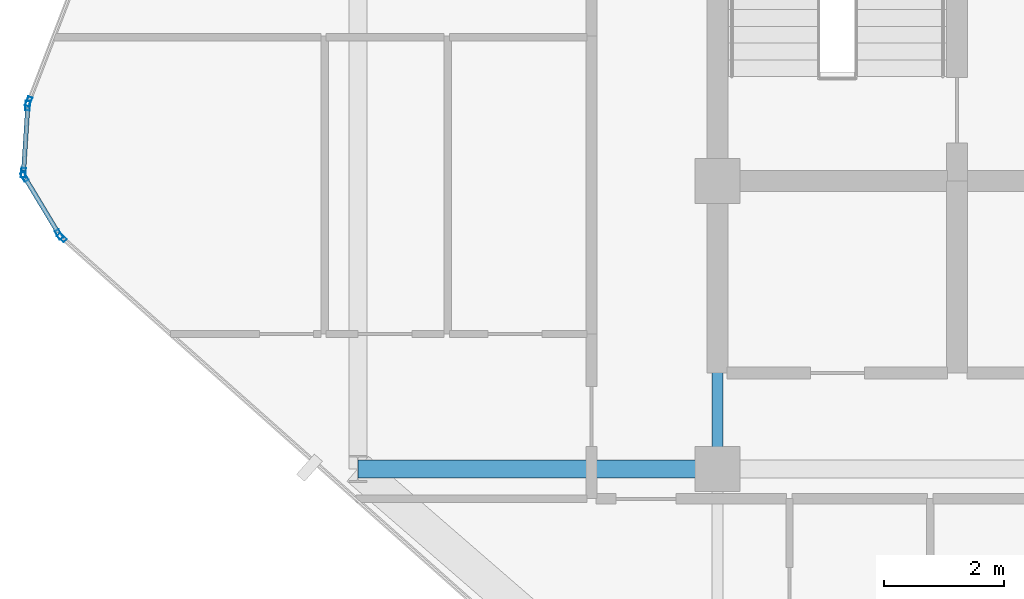
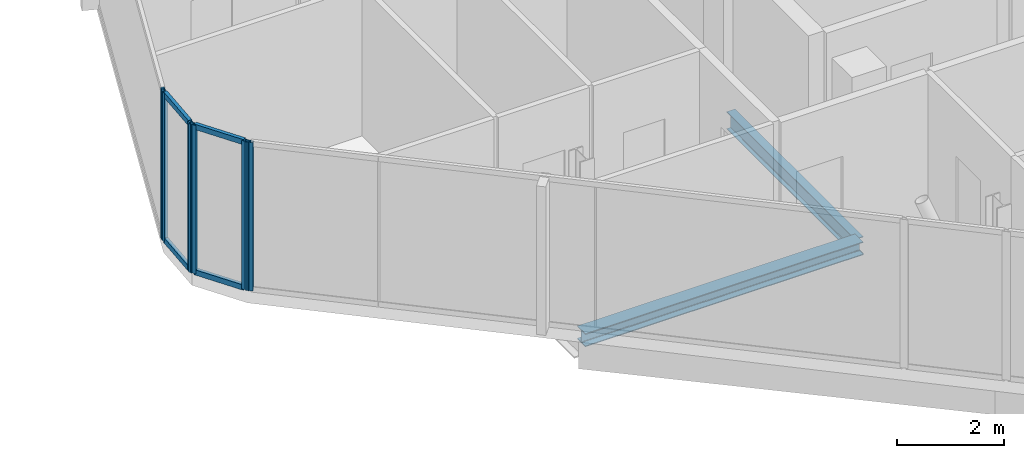
# One storey, part 8 of 29: 10 members, 2 beams, 4 elements without a shape of their own.
"""IFC4 building model written with IfcOpenShell, lengths in metres."""

from ifc_helpers import new_model, si_unit, direction, frame, origin, origin_2d, place, context, subcontext, project, spatial, hollow_rectangle, i_section, extrude, material, layer, layer_set, material_profile, profile_set, type_object, element, aggregate, save


model = new_model("IFC4")

# Units and contexts
model_context = context("Model", 3, precision=1e-05, world=origin(), true_north=direction((0.0, 1.0)))
body_context = subcontext(model_context, "Body", "Model", "MODEL_VIEW")
ifc_project = project(units=[si_unit("LENGTHUNIT", "METRE"), si_unit("AREAUNIT", "SQUARE_METRE"), si_unit("VOLUMEUNIT", "CUBIC_METRE"), si_unit("PLANEANGLEUNIT", "RADIAN"), si_unit("MASSUNIT", "GRAM", prefix="KILO")], contexts=[model_context])

# Site, building, storey
site_placement = place(None, origin())
site = spatial("IfcSite", under=ifc_project, at=site_placement, CompositionType="ELEMENT")
building_placement = place(site_placement, origin())
building = spatial("IfcBuilding", under=site, at=building_placement, Name="Keshet Zoharim Tower", CompositionType="ELEMENT")
storey_placement = place(building_placement, frame((0.0, 0.0, 226.5)))
storey = spatial("IfcBuildingStorey", under=building, at=storey_placement, Name="L56", CompositionType="ELEMENT", Elevation=226.5)

# Beams
ifc_material_1 = material(Name="Steel S355", Category="steel")
ifc_material_profile_1 = material_profile(ifc_material_1, i_section(OverallWidth=0.300048828125, OverallDepth=0.300048828125, WebThickness=0.010986328125, FlangeThickness=0.01904296875, FilletRadius=0.027099609375, at=origin_2d()), Name="HEB300")
ifc_profile_set_1 = profile_set([ifc_material_profile_1], Name="Steel S355")
beam_type_1 = type_object("IfcBeamType", Name="BM-PRI-HB300", PredefinedType="BEAM", material=ifc_profile_set_1)
beam_1_placement = place(storey_placement, frame((9.0, 17.89990234375, -0.4599609375), z_axis=(1.0, 0.0, 0.0), x_axis=(0.0, 1.0, 0.0)))
element("IfcBeam", 1, at=beam_1_placement, inside=storey, type_object=beam_type_1, Name="L56 Primary Girder X-011", PredefinedType="BEAM", context=body_context, shape_type="SweptSolid", body=[
    extrude(i_section(OverallWidth=0.300048828125, OverallDepth=0.300048828125, WebThickness=0.010986328125, FlangeThickness=0.01904296875, FilletRadius=0.027099609375, at=origin_2d()), origin(), (0.0, 0.0, 1.0), 6.0),
])
ifc_material_profile_2 = material_profile(ifc_material_1, i_section(OverallWidth=0.179931640625, OverallDepth=0.39990234375, WebThickness=0.008544921875, FlangeThickness=0.013427734375, FilletRadius=0.02099609375, at=origin_2d()), Name="IPE400")
ifc_profile_set_2 = profile_set([ifc_material_profile_2], Name="Steel S355")
beam_type_2 = type_object("IfcBeamType", Name="BM-PRI-IP400", PredefinedType="BEAM", material=ifc_profile_set_2)
beam_2_placement = place(storey_placement, frame((15.0, 17.89990234375, -0.510009765625), z_axis=(0.0, 1.0, 0.0), x_axis=(-1.0, 0.0, 0.0)))
element("IfcBeam", 2, at=beam_2_placement, inside=storey, type_object=beam_type_2, Name="L56 Primary Girder Y-003", PredefinedType="BEAM", context=body_context, shape_type="SweptSolid", body=[
    extrude(i_section(OverallWidth=0.179931640625, OverallDepth=0.39990234375, WebThickness=0.008544921875, FlangeThickness=0.013427734375, FilletRadius=0.02099609375, at=origin_2d()), origin(), (0.0, 0.0, 1.0), 4.800048828125),
])

# Curtain wall, member
ifc_material_2 = material(Name="Aluminium 6063-T6", Category="aluminium")
ifc_layer = layer(ifc_material_2, 0.139892578125)
ifc_layer_set = layer_set([ifc_layer], Name="Aluminium 6063-T6")
curtain_wall_type = type_object("IfcCurtainWallType", Name="CW-SYS-05", PredefinedType="NOTDEFINED", material=ifc_layer_set)
curtain_wall_1_placement = place(storey_placement, origin())
curtain_wall_1 = element("IfcCurtainWall", 3, at=curtain_wall_1_placement, inside=storey, type_object=curtain_wall_type, Name="L56 Unitised Curtain Wall 10 Part 3", PredefinedType="NOTDEFINED")
ifc_material_profile_3 = material_profile(ifc_material_2, hollow_rectangle(XDim=0.074951171875, YDim=0.159912109375, WallThickness=0.00390625, at=origin_2d()), Name="MUL-75x160")
ifc_profile_set_3 = profile_set([ifc_material_profile_3], Name="Aluminium 6063-T6")
member_type_1 = type_object("IfcMemberType", Name="CWM-M15", PredefinedType="MULLION", material=ifc_profile_set_3)
member_1_placement = place(storey_placement, frame((4.061279296875, 21.7568359375, 0.0), z_axis=(0.0, 0.0, 1.0), x_axis=(-0.664363838836, -0.747409318679, 0.0)))
member_1 = element("IfcMember", 4, at=member_1_placement, type_object=member_type_1, Name="CW-05 mullion 2", PredefinedType="MULLION", context=body_context, shape_type="SweptSolid", body=[
    extrude(hollow_rectangle(XDim=0.074951171875, YDim=0.159912109375, WallThickness=0.00390625, at=origin_2d()), origin(), (0.0, 0.0, 1.0), 3.389892578125),
])
aggregate(curtain_wall_1, [member_1])

# Curtain wall, members
curtain_wall_2_placement = place(storey_placement, origin())
curtain_wall_2 = element("IfcCurtainWall", 5, at=curtain_wall_2_placement, inside=storey, type_object=curtain_wall_type, Name="L56 Unitised Curtain Wall 11", PredefinedType="NOTDEFINED")
member_2_placement = place(storey_placement, frame((4.016845703125, 21.81005859375, 0.0), z_axis=(0.0, 0.0, 1.0), x_axis=(-0.856826433805, -0.515604947933, 0.0)))
member_2 = element("IfcMember", 6, at=member_2_placement, type_object=member_type_1, Name="CW-05 mullion 1", PredefinedType="MULLION", context=body_context, shape_type="SweptSolid", body=[
    extrude(hollow_rectangle(XDim=0.074951171875, YDim=0.159912109375, WallThickness=0.00390625, at=origin_2d()), origin(), (0.0, 0.0, 1.0), 3.389892578125),
])
member_3_placement = place(storey_placement, frame((3.43798828125, 22.77197265625, 0.0), z_axis=(0.0, 0.0, 1.0), x_axis=(-0.856826433805, -0.515604947933, 0.0)))
member_3 = element("IfcMember", 7, at=member_3_placement, type_object=member_type_1, Name="CW-05 mullion 2", PredefinedType="MULLION", context=body_context, shape_type="SweptSolid", body=[
    extrude(hollow_rectangle(XDim=0.074951171875, YDim=0.159912109375, WallThickness=0.00390625, at=origin_2d()), origin(), (0.0, 0.0, 1.0), 3.389892578125),
])

curtain_wall_3_placement = place(storey_placement, origin())
curtain_wall_3 = element("IfcCurtainWall", 8, at=curtain_wall_3_placement, inside=storey, type_object=curtain_wall_type, Name="L56 Unitised Curtain Wall 12", PredefinedType="NOTDEFINED")
member_4_placement = place(storey_placement, frame((3.42236328125, 22.8369140625, 0.0), z_axis=(0.0, 0.0, 1.0), x_axis=(-0.997916617186, 0.064516859374, 0.0)))
member_4 = element("IfcMember", 9, at=member_4_placement, type_object=member_type_1, Name="CW-05 mullion 1", PredefinedType="MULLION", context=body_context, shape_type="SweptSolid", body=[
    extrude(hollow_rectangle(XDim=0.074951171875, YDim=0.159912109375, WallThickness=0.00390625, at=origin_2d()), origin(), (0.0, 0.0, 1.0), 3.389892578125),
])
member_5_placement = place(storey_placement, frame((3.49462890625, 23.9580078125, 0.0), z_axis=(0.0, 0.0, 1.0), x_axis=(-0.997916617186, 0.064516859374, 0.0)))
member_5 = element("IfcMember", 10, at=member_5_placement, type_object=member_type_1, Name="CW-05 mullion 2", PredefinedType="MULLION", context=body_context, shape_type="SweptSolid", body=[
    extrude(hollow_rectangle(XDim=0.074951171875, YDim=0.159912109375, WallThickness=0.00390625, at=origin_2d()), origin(), (0.0, 0.0, 1.0), 3.389892578125),
])

# Curtain wall, member
curtain_wall_4_placement = place(storey_placement, origin())
curtain_wall_4 = element("IfcCurtainWall", 11, at=curtain_wall_4_placement, inside=storey, type_object=curtain_wall_type, Name="L56 Unitised Curtain Wall 13", PredefinedType="NOTDEFINED")
member_6_placement = place(storey_placement, frame((3.509521484375, 24.025634765625, 0.0), z_axis=(0.0, 0.0, 1.0), x_axis=(-0.933341404361, 0.358990003907, 0.0)))
member_6 = element("IfcMember", 12, at=member_6_placement, type_object=member_type_1, Name="CW-05 mullion 1", PredefinedType="MULLION", context=body_context, shape_type="SweptSolid", body=[
    extrude(hollow_rectangle(XDim=0.074951171875, YDim=0.159912109375, WallThickness=0.00390625, at=origin_2d()), origin(), (0.0, 0.0, 1.0), 3.389892578125),
])
aggregate(curtain_wall_4, [member_6])

# Member
ifc_material_profile_4 = material_profile(ifc_material_2, hollow_rectangle(XDim=0.074951171875, YDim=0.1201171875, WallThickness=0.00390625, at=origin_2d()), Name="TRN-75x120")
ifc_profile_set_4 = profile_set([ifc_material_profile_4], Name="Aluminium 6063-T6")
member_type_2 = type_object("IfcMemberType", Name="CWT-T12", PredefinedType="USERDEFINED", material=ifc_profile_set_4)
member_7_placement = place(storey_placement, frame((3.9990234375, 21.840087890625, 0.034912109375), z_axis=(-0.515791194107, 0.856714330499, 0.0), x_axis=(-0.856714330499, -0.515791194107, 0.0)))
member_7 = element("IfcMember", 13, at=member_7_placement, type_object=member_type_2, Name="CW-05 transom 1.1", ObjectType="TRANSOM", PredefinedType="USERDEFINED", context=body_context, shape_type="SweptSolid", body=[
    extrude(hollow_rectangle(XDim=0.074951171875, YDim=0.1201171875, WallThickness=0.00390625, at=origin_2d()), origin(), (0.0, 0.0, 1.0), 1.052734375),
])

member_8_placement = place(storey_placement, frame((3.9990234375, 21.840087890625, 3.35498046875), z_axis=(-0.515791194107, 0.856714330499, 0.0), x_axis=(-0.856714330499, -0.515791194107, 0.0)))
member_8 = element("IfcMember", 14, at=member_8_placement, type_object=member_type_2, Name="CW-05 transom 1.2", ObjectType="TRANSOM", PredefinedType="USERDEFINED", context=body_context, shape_type="SweptSolid", body=[
    extrude(hollow_rectangle(XDim=0.074951171875, YDim=0.1201171875, WallThickness=0.00390625, at=origin_2d()), origin(), (0.0, 0.0, 1.0), 1.052734375),
])

aggregate(curtain_wall_2, [member_2, member_3, member_7, member_8])

member_9_placement = place(storey_placement, frame((3.424560546875, 22.871826171875, 0.034912109375), z_axis=(0.064426947155, 0.997922426083, 0.0), x_axis=(-0.997922426083, 0.064426947155, 0.0)))
member_9 = element("IfcMember", 15, at=member_9_placement, type_object=member_type_2, Name="CW-05 transom 1.1", ObjectType="TRANSOM", PredefinedType="USERDEFINED", context=body_context, shape_type="SweptSolid", body=[
    extrude(hollow_rectangle(XDim=0.074951171875, YDim=0.1201171875, WallThickness=0.00390625, at=origin_2d()), origin(), (0.0, 0.0, 1.0), 1.053466796875),
])

member_10_placement = place(storey_placement, frame((3.424560546875, 22.871826171875, 3.35498046875), z_axis=(0.064426947155, 0.997922426083, 0.0), x_axis=(-0.997922426083, 0.064426947155, 0.0)))
member_10 = element("IfcMember", 16, at=member_10_placement, type_object=member_type_2, Name="CW-05 transom 1.2", ObjectType="TRANSOM", PredefinedType="USERDEFINED", context=body_context, shape_type="SweptSolid", body=[
    extrude(hollow_rectangle(XDim=0.074951171875, YDim=0.1201171875, WallThickness=0.00390625, at=origin_2d()), origin(), (0.0, 0.0, 1.0), 1.053466796875),
])

aggregate(curtain_wall_3, [member_4, member_5, member_9, member_10])

save(model, "model.ifc")
